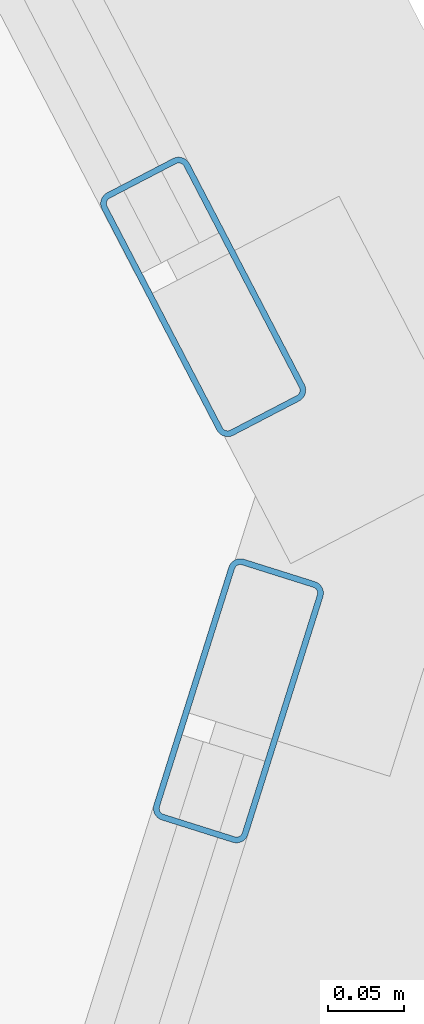
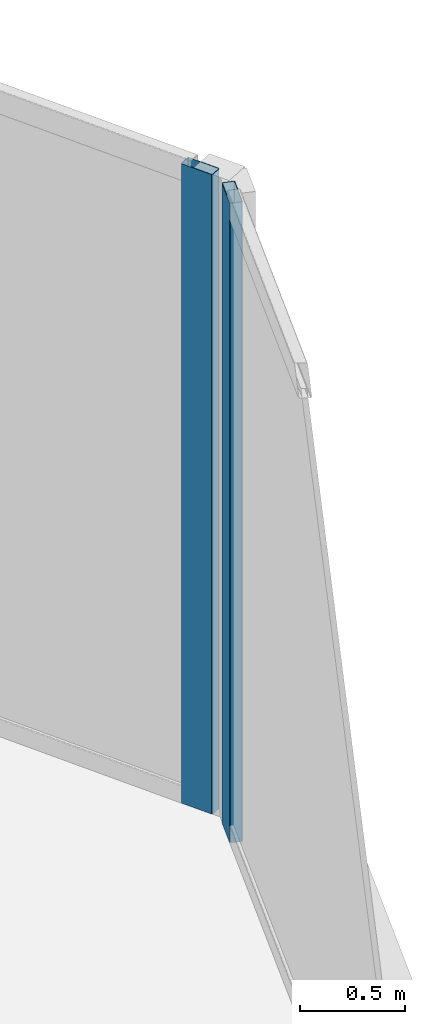
# One storey, part 19 of 28: 2 members, 2 elements without a shape of their own.
"""IFC4 building model written with IfcOpenShell, lengths in metres."""

import ifcopenshell
import ifcopenshell.guid

model = None  # the IFC model being written
_history = None  # IfcOwnerHistory: only IFC2X3 demands one
_inside = {}  # id of a spatial element -> (the spatial element, [elements in it])
_under = {}  # id of a project, library or spatial element -> (it, [spatial elements below it])
_declared = {}  # id of a project -> (the project, [libraries it declares])
_typed = {}  # id of a type object -> (the type object, [elements of that type])
_made_of = {}  # id of a material, layer set ... -> (it, [elements and type objects made of it])


def new_model(schema):
    """Start an empty IFC model of exactly this schema.

    Asked for "IFC4X3", IfcOpenShell would pick the latest addendum, in which some entities
    have other attributes; the version numbers below select the first issue.
    IFC2X3 requires an IfcOwnerHistory on every rooted entity: one is made here for all.
    """
    global model, _history
    if schema == "IFC4X3":
        model = ifcopenshell.file(schema_version=(4, 3, 0, 0))
    else:
        model = ifcopenshell.file(schema=schema)
    _inside.clear()
    _under.clear()
    _declared.clear()
    _typed.clear()
    _made_of.clear()
    _history = None
    if model.schema == "IFC2X3":
        org = make("IfcOrganization", Name="unknown")
        user = make(
            "IfcPersonAndOrganization",
            ThePerson=make("IfcPerson", FamilyName="unknown"),
            TheOrganization=org,
        )
        app = make(
            "IfcApplication",
            ApplicationDeveloper=org,
            Version="unknown",
            ApplicationFullName="unknown",
            ApplicationIdentifier="unknown",
        )
        _history = make(
            "IfcOwnerHistory",
            OwningUser=user,
            OwningApplication=app,
            ChangeAction="ADDED",
            CreationDate=0,
        )
    return model


def make(cls, **values):
    """One entity of the class cls with the attributes given. An attribute that is None is left unset."""
    return model.create_entity(
        cls, **{name: value for name, value in values.items() if value is not None}
    )


def rooted(cls, **values):
    """An entity with a GlobalId (a new one), such as an element, a storey or a relation."""
    return make(cls, GlobalId=ifcopenshell.guid.new(), OwnerHistory=_history, **values)


def si_unit(unit_type, name, prefix=None):
    """IfcSIUnit, for example si_unit("LENGTHUNIT", "METRE", prefix="MILLI")."""
    return make("IfcSIUnit", UnitType=unit_type, Prefix=prefix, Name=name)


def assignment(units):
    """IfcUnitAssignment: the units of a project."""
    return None if units is None else make("IfcUnitAssignment", Units=units)


def point(xyz):
    """IfcCartesianPoint."""
    return None if xyz is None else make("IfcCartesianPoint", Coordinates=xyz)


def direction(xyz):
    """IfcDirection."""
    return None if xyz is None else make("IfcDirection", DirectionRatios=xyz)


def frame(location, z_axis=None, x_axis=None):
    """IfcAxis2Placement3D, a coordinate frame: its origin and axes. An axis left out is left unset."""
    return make(
        "IfcAxis2Placement3D",
        Location=point(location),
        Axis=direction(z_axis),
        RefDirection=direction(x_axis),
    )


def frame_2d(location, x_axis=None):
    """IfcAxis2Placement2D, a coordinate frame in the plane: its origin and x axis."""
    return make(
        "IfcAxis2Placement2D", Location=point(location), RefDirection=direction(x_axis)
    )


def origin():
    """The frame at (0, 0, 0) with its axes left unset."""
    return frame((0.0, 0.0, 0.0))


def origin_2d():
    """The frame at (0, 0) in the plane with its x axis left unset."""
    return frame_2d((0.0, 0.0))


def place(relative_to, where):
    """IfcLocalPlacement: puts the frame where relative to a parent placement (None: the world)."""
    return make(
        "IfcLocalPlacement", PlacementRelTo=relative_to, RelativePlacement=where
    )


def context(
    kind, dimensions, precision=None, world=None, true_north=None, identifier=None
):
    """IfcGeometricRepresentationContext, for example the 3D "Model" context."""
    return make(
        "IfcGeometricRepresentationContext",
        ContextIdentifier=identifier,
        ContextType=kind,
        CoordinateSpaceDimension=dimensions,
        Precision=precision,
        WorldCoordinateSystem=world,
        TrueNorth=true_north,
    )


def subcontext(parent, identifier, kind, view, scale=None):
    """IfcGeometricRepresentationSubContext, for example "Body" below "Model"."""
    return make(
        "IfcGeometricRepresentationSubContext",
        ContextIdentifier=identifier,
        ContextType=kind,
        ParentContext=parent,
        TargetScale=scale,
        TargetView=view,
    )


def project(units=None, contexts=None):
    """IfcProject with its units and contexts."""
    return rooted(
        "IfcProject",
        Name="project",
        RepresentationContexts=contexts,
        UnitsInContext=assignment(units),
    )


def spatial(cls, under=None, at=None, **own):
    """A site, building, storey or space (cls), placed at a placement, below another one or the project."""
    s = rooted(cls, ObjectPlacement=at, **own)
    if under is not None:
        _under.setdefault(under.id(), (under, []))[1].append(s)
    return s


def profile(cls, at=None, kind="AREA", **sizes):
    """A parametric profile (cls). Its sizes go by their IFC names, for example OverallWidth=200.0."""
    return make(cls, ProfileType=kind, Position=at, **sizes)


def hollow_rectangle(**sizes):
    """IfcRectangleHollowProfileDef."""
    return profile("IfcRectangleHollowProfileDef", **sizes)


def extrude(swept, where, along, depth):
    """IfcExtrudedAreaSolid: the profile swept, set in the frame where, extruded along a direction by depth."""
    return make(
        "IfcExtrudedAreaSolid",
        SweptArea=swept,
        Position=where,
        ExtrudedDirection=direction(along),
        Depth=depth,
    )


def shape(context_of_items, identifier, shape_type, items):
    """IfcShapeRepresentation: the items that make up one representation, for example the "Body"."""
    return make(
        "IfcShapeRepresentation",
        ContextOfItems=context_of_items,
        RepresentationIdentifier=identifier,
        RepresentationType=shape_type,
        Items=items,
    )


def source(mapping_origin, context_of_items, identifier, shape_type, items):
    """IfcRepresentationMap: a shape defined once, which mapped items show again and again."""
    return make(
        "IfcRepresentationMap",
        MappingOrigin=mapping_origin,
        MappedRepresentation=shape(context_of_items, identifier, shape_type, items),
    )


def transform(
    local_origin,
    x_axis=None,
    y_axis=None,
    z_axis=None,
    scale=None,
    scale2=None,
    scale3=None,
    uniform=True,
):
    """IfcCartesianTransformationOperator3D, or its non-uniform kind. x_axis, y_axis, z_axis: its Axis1, 2, 3."""
    if uniform:
        return make(
            "IfcCartesianTransformationOperator3D",
            Axis1=direction(x_axis),
            Axis2=direction(y_axis),
            LocalOrigin=point(local_origin),
            Scale=scale,
            Axis3=direction(z_axis),
        )
    return make(
        "IfcCartesianTransformationOperator3DnonUniform",
        Axis1=direction(x_axis),
        Axis2=direction(y_axis),
        LocalOrigin=point(local_origin),
        Scale=scale,
        Axis3=direction(z_axis),
        Scale2=scale2,
        Scale3=scale3,
    )


def mapped(mapping_source, mapping_target):
    """IfcMappedItem: shows the shape of a source again, moved by a transform."""
    return make(
        "IfcMappedItem", MappingSource=mapping_source, MappingTarget=mapping_target
    )


def material(Name=None, Category=None):
    """IfcMaterial."""
    return make("IfcMaterial", Name=Name, Category=Category)


def material_profile(
    of_material, cross_section, Name=None, Category=None, Priority=None
):
    """IfcMaterialProfile: a cross section and its material."""
    return make(
        "IfcMaterialProfile",
        Name=Name,
        Material=of_material,
        Profile=cross_section,
        Priority=Priority,
        Category=Category,
    )


def profile_set(profiles, Name=None, composite=None):
    """IfcMaterialProfileSet."""
    return make(
        "IfcMaterialProfileSet",
        Name=Name,
        MaterialProfiles=profiles,
        CompositeProfile=composite,
    )


def made_of(thing, what):
    """Note that an element or type object is made of a material, layer set ...; save() writes the relation."""
    if what is not None:
        _made_of.setdefault(what.id(), (what, []))[1].append(thing)
    return thing


def type_object(cls, material=None, **own):
    """A type object (cls), such as IfcWallType, which elements share."""
    return made_of(rooted(cls, **own), material)


def element(
    cls,
    number,
    at=None,
    inside=None,
    cuts=None,
    type_object=None,
    material=None,
    context=None,
    identifier="Body",
    shape_type=None,
    held_by="IfcProductDefinitionShape",
    body=None,
    shapes=None,
    **own,
):
    """One element of the class cls, such as IfcWall. Its Tag is "e" and its number.

    at: its placement. inside: the storey or other place that contains it. cuts: it is an
    opening in that element (IfcRelVoidsElement). A single representation is given by context,
    identifier, shape_type and body (its items); several are given by shapes. held_by: the class
    of the entity that holds the representations. save() writes the other relations.
    """
    e = rooted(cls, Tag="e%d" % number, ObjectPlacement=at, **own)
    if body is not None:
        shapes = [shape(context, identifier, shape_type, body)]
    if shapes is not None:
        e.Representation = make(held_by, Representations=shapes)
    if inside is not None:
        _inside.setdefault(inside.id(), (inside, []))[1].append(e)
    if cuts is not None:
        rooted(
            "IfcRelVoidsElement", RelatingBuildingElement=cuts, RelatedOpeningElement=e
        )
    if type_object is not None:
        _typed.setdefault(type_object.id(), (type_object, []))[1].append(e)
    return made_of(e, material)


def aggregate(whole, parts):
    """IfcRelAggregates: a whole, such as a stair, and the parts it consists of."""
    return rooted("IfcRelAggregates", RelatingObject=whole, RelatedObjects=parts)


def save(model, path):
    """Write the relations noted so far, then the file.

    IfcRelAggregates (storeys below a building ...), IfcRelContainedInSpatialStructure (elements
    in a storey), IfcRelDefinesByType, IfcRelAssociatesMaterial and IfcRelDeclares: one each for
    every whole, place, type object, material and project.
    """
    for whole, parts in _under.values():
        aggregate(whole, parts)
    for where, things in _inside.values():
        rooted(
            "IfcRelContainedInSpatialStructure",
            RelatedElements=things,
            RelatingStructure=where,
        )
    for kind, things in _typed.values():
        rooted("IfcRelDefinesByType", RelatedObjects=things, RelatingType=kind)
    for what, things in _made_of.values():
        rooted("IfcRelAssociatesMaterial", RelatedObjects=things, RelatingMaterial=what)
    for by, libraries in _declared.values():
        rooted("IfcRelDeclares", RelatingContext=by, RelatedDefinitions=libraries)
    model.write(path)


model = new_model("IFC4")

# Units and contexts
model_context = context("Model", 3, precision=1e-05, world=origin(), true_north=direction((0.0, 1.0)))
body_context = subcontext(model_context, "Body", "Model", "MODEL_VIEW")
ifc_project = project(units=[si_unit("LENGTHUNIT", "METRE"), si_unit("AREAUNIT", "SQUARE_METRE"), si_unit("VOLUMEUNIT", "CUBIC_METRE"), si_unit("PLANEANGLEUNIT", "RADIAN"), si_unit("MASSUNIT", "GRAM", prefix="KILO")], contexts=[model_context])

# Site, building, storey
site_placement = place(None, origin())
site = spatial("IfcSite", under=ifc_project, at=site_placement, CompositionType="ELEMENT")
building_placement = place(site_placement, origin())
building = spatial("IfcBuilding", under=site, at=building_placement, Name="Torre Montelarca", CompositionType="ELEMENT")
storey_placement = place(building_placement, frame((0.0, 0.0, 112.60009765625)))
storey = spatial("IfcBuildingStorey", under=building, at=storey_placement, Name="L25", CompositionType="ELEMENT", Elevation=112.60009765625)

# Curtain wall, member
ifc_material_1 = material(Name="Insulated low-E laminated glass", Category="glass")
curtain_wall_type = type_object("IfcCurtainWallType", Name="CW-SYS-Z1", PredefinedType="USERDEFINED", material=ifc_material_1)
curtain_wall_1_placement = place(storey_placement, origin())
curtain_wall_1 = element("IfcCurtainWall", 1, at=curtain_wall_1_placement, inside=storey, type_object=curtain_wall_type, Name="L25 Curtain Wall Run CW-T3-L25-E06-B1", ObjectType="UNITISED GLAZING", PredefinedType="USERDEFINED")
ifc_material_2 = material(Name="Anodised aluminium AA 6063-T6", Category="aluminium")
ifc_material_profile = material_profile(ifc_material_2, hollow_rectangle(XDim=0.06494140625, YDim=0.179931640625, WallThickness=0.00390625, InnerFilletRadius=0.00390625, OuterFilletRadius=0.008056640625, at=origin_2d()), Name="ALU65X180X4", Category="aluminium")
ifc_profile_set = profile_set([ifc_material_profile], Name="Anodised aluminium AA 6063-T6")
member_type = type_object("IfcMemberType", Name="CWM-ALU180", PredefinedType="MULLION", material=ifc_profile_set)
shared_shape = source(origin(), body_context, "Body", "SweptSolid", [
    extrude(hollow_rectangle(XDim=0.06494140625, YDim=0.179931640625, WallThickness=0.00390625, InnerFilletRadius=0.00390625, OuterFilletRadius=0.008056640625, at=origin_2d()), origin(), (0.0, 0.0, 1.0), 3.719970703125),
])
member_1_placement = place(storey_placement, frame((65.272216796875, 30.258544921875, 0.0), z_axis=(0.0, 0.0, 1.0), x_axis=(-0.95371704325, 0.300705506127, 0.0)))
member_1 = element("IfcMember", 2, at=member_1_placement, type_object=member_type, Name="CW mullion 3", PredefinedType="MULLION", context=body_context, shape_type="MappedRepresentation", body=[
    mapped(shared_shape, transform((0.0, 0.0, 0.0), scale=1.0)),
])
aggregate(curtain_wall_1, [member_1])

curtain_wall_2_placement = place(storey_placement, origin())
curtain_wall_2 = element("IfcCurtainWall", 3, at=curtain_wall_2_placement, inside=storey, type_object=curtain_wall_type, Name="L25 Curtain Wall Run CW-T3-L25-E07-B1", ObjectType="UNITISED GLAZING", PredefinedType="USERDEFINED")
member_2_placement = place(storey_placement, frame((65.2490234375, 30.5244140625, 0.0), z_axis=(0.0, 0.0, 1.0), x_axis=(-0.887014239788, -0.461742069139, 0.0)))
member_2 = element("IfcMember", 4, at=member_2_placement, type_object=member_type, Name="CW mullion 1", PredefinedType="MULLION", context=body_context, shape_type="MappedRepresentation", body=[
    mapped(shared_shape, transform((0.0, 0.0, 0.0), scale=1.0)),
])
aggregate(curtain_wall_2, [member_2])

save(model, "model.ifc")
